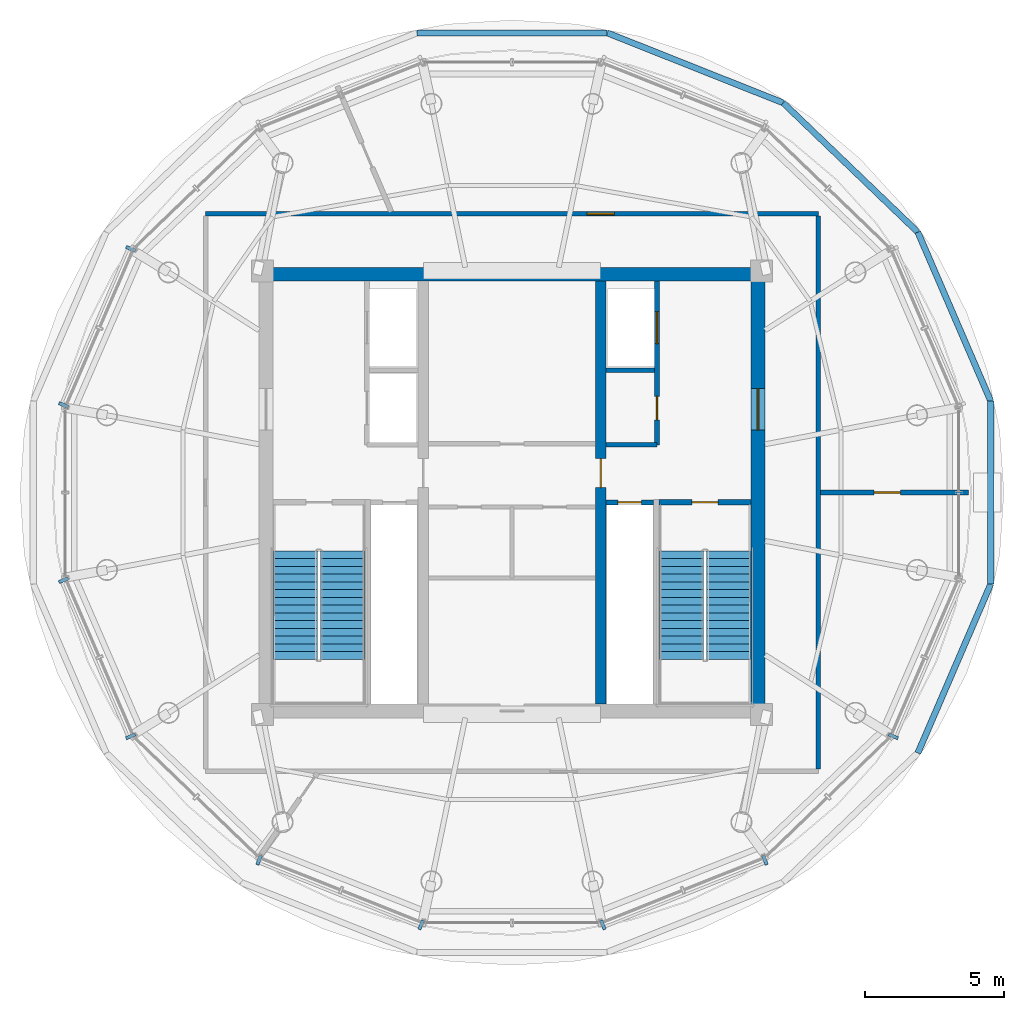
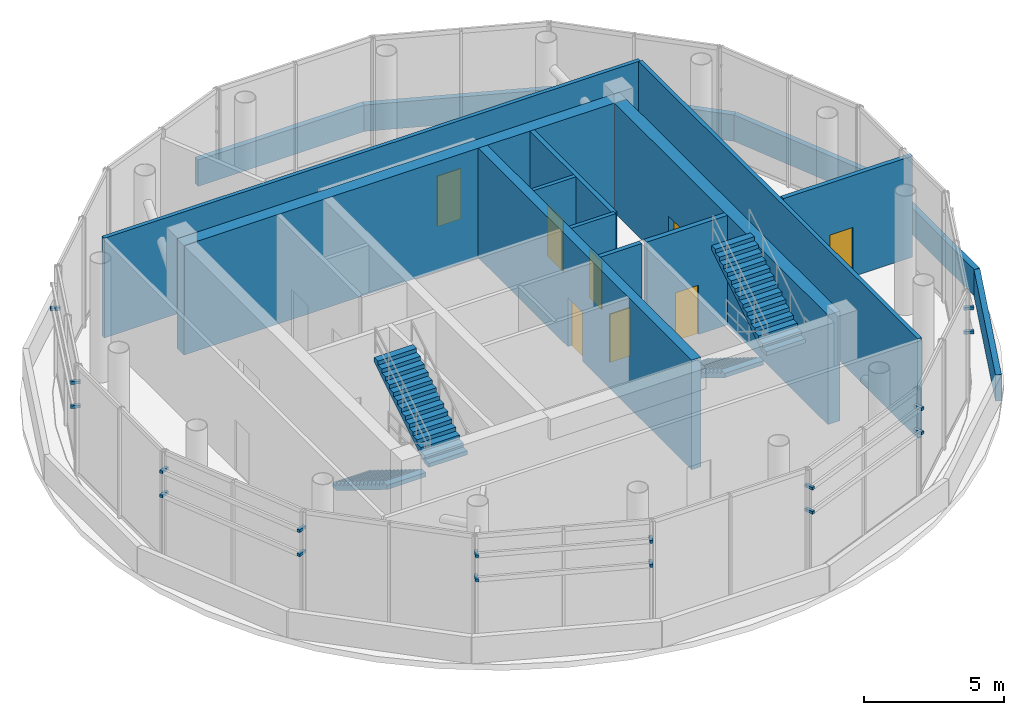
# One storey, part 11 of 14: 17 discrete accessories, 17 walls, 8 doors, 4 stair flights, 8 openings, 2 elements without a shape of their own.
"""IFC4 building model written with IfcOpenShell, lengths in metres."""

from ifc_helpers import new_model, si_unit, direction, frame, frame_2d, origin, origin_2d, place, context, subcontext, project, spatial, polyline, rectangle, outline, extrude, source, transform, mapped, material, layer, layer_set, type_object, element, fill, aggregate, save


model = new_model("IFC4")

# Units and contexts
model_context = context("Model", 3, precision=1e-05, world=origin(), true_north=direction((-0.2419218956, 0.970295726276)))
body_context = subcontext(model_context, "Body", "Model", "MODEL_VIEW")
ifc_project = project(units=[si_unit("LENGTHUNIT", "METRE"), si_unit("AREAUNIT", "SQUARE_METRE"), si_unit("VOLUMEUNIT", "CUBIC_METRE"), si_unit("PLANEANGLEUNIT", "RADIAN"), si_unit("MASSUNIT", "GRAM", prefix="KILO")], contexts=[model_context])

# Site, building, storey
site_placement = place(None, origin())
site = spatial("IfcSite", under=ifc_project, at=site_placement, CompositionType="ELEMENT")
building_placement = place(site_placement, origin())
building = spatial("IfcBuilding", under=site, at=building_placement, Name="Cobrevalo Terracotta Tower", CompositionType="ELEMENT")
storey_placement = place(building_placement, frame((0.0, 0.0, 321.699951171875)))
storey = spatial("IfcBuildingStorey", under=building, at=storey_placement, Name="L83", CompositionType="ELEMENT", Elevation=321.699951171875)

# Wall
ifc_material_1 = material(Name="Concrete C50", Category="concrete")
ifc_layer_1 = layer(ifc_material_1, 0.5)
ifc_layer_set_1 = layer_set([ifc_layer_1], Name="Concrete C50")
wall_type_1 = type_object("IfcWallType", Name="Crown core shear wall 500 mm Concrete C50", PredefinedType="SHEAR", material=ifc_layer_set_1)
wall_1_placement = place(storey_placement, frame((28.875, 34.675048828125, 0.0), z_axis=(0.0, 0.0, 1.0), x_axis=(1.0, 0.0, 0.0)))
element("IfcWall", 1, at=wall_1_placement, inside=storey, type_object=wall_type_1, Name="L83 north core shear wall", PredefinedType="SHEAR", context=body_context, shape_type="SweptSolid", body=[
    extrude(rectangle(XDim=18.25, YDim=0.5, at=frame_2d((9.125, 0.0))), origin(), (0.0, 0.0, 1.0), 4.780029296875),
])

# Wall, opening, door
wall_2_placement = place(storey_placement, frame((46.875, 19.175048828125, 0.0), z_axis=(0.0, 0.0, 1.0), x_axis=(0.0, 1.0, 0.0)))
wall_2 = element("IfcWall", 2, at=wall_2_placement, inside=storey, type_object=wall_type_1, Name="L83 east core shear wall", PredefinedType="SHEAR", context=body_context, shape_type="SweptSolid", body=[
    extrude(rectangle(XDim=15.25, YDim=0.5, at=frame_2d((7.625, 0.0))), origin(), (0.0, 0.0, 1.0), 4.780029296875),
])
opening_1_placement = place(wall_2_placement, frame((9.875, 0.0, 0.0)))
opening_1 = element("IfcOpeningElement", 3, at=opening_1_placement, cuts=wall_2, Name="Opening ID-14", PredefinedType="OPENING", context=body_context, shape_type="SweptSolid", body=[
    extrude(rectangle(XDim=1.5, YDim=2.199951171875, at=frame_2d((0.75, 1.10009765625))), frame((0.0, 0.260009765625, 0.0), z_axis=(0.0, -1.0, 0.0), x_axis=(1.0, 0.0, 0.0)), (0.0, 0.0, 1.0), 0.52001953125),
])
ifc_material_2 = material(Name="Galvanized fire-rated steel", Category="steel")
door_type_1 = type_object("IfcDoorType", Name="Core cross-lobby double fire door 1500x2200 EI 90", OperationType="NOTDEFINED", PredefinedType="DOOR", material=ifc_material_2)
shared_shape_1 = source(origin(), body_context, "Body", "SweptSolid", [
    extrude(rectangle(XDim=1.5, YDim=2.199951171875, at=frame_2d((0.75, 1.10009765625))), frame((0.0, 0.02490234375, 0.0), z_axis=(0.0, -1.0, 0.0), x_axis=(1.0, 0.0, 0.0)), (0.0, 0.0, 1.0), 0.050048828125),
])
door_1_placement = place(opening_1_placement, frame((1.5, 0.0, 0.0), z_axis=(0.0, 0.0, 1.0), x_axis=(-1.0, 0.0, 0.0)))
door_1 = element("IfcDoor", 4, at=door_1_placement, inside=storey, type_object=door_type_1, Name="L83 east firefighting lobby entrance door", OperationType="DOUBLE_DOOR_SINGLE_SWING", OverallHeight=2.199951171875, OverallWidth=1.5, PredefinedType="DOOR", context=body_context, shape_type="MappedRepresentation", body=[
    mapped(shared_shape_1, transform((0.0, 0.0, 0.0), scale=1.0)),
])
fill(opening_1, door_1)

# Walls
ifc_material_3 = material(Name="Gypsum board on steel stud", Category="steel")
ifc_layer_2 = layer(ifc_material_3, 0.159912109375)
ifc_layer_set_2 = layer_set([ifc_layer_2], Name="Gypsum board on steel stud")
wall_type_2 = type_object("IfcWallType", Name="Fire-rated corridor acoustic partition wall 160 mm", PredefinedType="PARTITIONING", material=ifc_layer_set_2)
wall_3_placement = place(storey_placement, frame((41.389892578125, 31.219970703125, 0.0), z_axis=(0.0, 0.0, 1.0), x_axis=(1.0, 0.0, 0.0)))
element("IfcWall", 5, at=wall_3_placement, inside=storey, type_object=wall_type_2, Name="L83 interior partition IW-L83-FF2-M", PredefinedType="PARTITIONING", context=body_context, shape_type="SweptSolid", body=[
    extrude(rectangle(XDim=1.75, YDim=0.159912109375, at=frame_2d((0.875, 0.0))), origin(), (0.0, 0.0, 1.0), 4.780029296875),
])
wall_4_placement = place(storey_placement, frame((41.389892578125, 28.52001953125, 0.0), z_axis=(0.0, 0.0, 1.0), x_axis=(1.0, 0.0, 0.0)))
element("IfcWall", 6, at=wall_4_placement, inside=storey, type_object=wall_type_2, Name="L83 interior partition IW-L83-FF2-S", PredefinedType="PARTITIONING", context=body_context, shape_type="SweptSolid", body=[
    extrude(rectangle(XDim=1.840087890625, YDim=0.159912109375, at=frame_2d((0.919921875, 0.0))), origin(), (0.0, 0.0, 1.0), 4.780029296875),
])

# Wall, opening, door
wall_5_placement = place(storey_placement, frame((26.945068359375, 36.85498046875, 0.0), z_axis=(0.0, 0.0, 1.0), x_axis=(1.0, 0.0, 0.0)))
wall_5 = element("IfcWall", 7, at=wall_5_placement, inside=storey, type_object=wall_type_2, Name="L83 interior partition IW-L83-COR-N", PredefinedType="PARTITIONING", context=body_context, shape_type="SweptSolid", body=[
    extrude(rectangle(XDim=22.10986328125, YDim=0.159912109375, at=frame_2d((11.054931640625, 0.0))), origin(), (0.0, 0.0, 1.0), 4.35205078125),
])
opening_2_placement = place(wall_5_placement, frame((13.768310546875, 0.0, 0.0)))
opening_2 = element("IfcOpeningElement", 8, at=opening_2_placement, cuts=wall_5, Name="Opening ID-05", PredefinedType="OPENING", context=body_context, shape_type="SweptSolid", body=[
    extrude(rectangle(XDim=0.97998046875, YDim=2.199951171875, at=frame_2d((0.489990234375, 1.10009765625))), frame((0.0, 0.08984375, 0.0), z_axis=(0.0, -1.0, 0.0), x_axis=(1.0, 0.0, 0.0)), (0.0, 0.0, 1.0), 0.179931640625),
])
ifc_material_4 = material(Name="Solid hardwood timber", Category="wood")
door_type_2 = type_object("IfcDoorType", Name="Residence entrance fire-rated acoustic timber door 980x2200 EI 60", OperationType="NOTDEFINED", PredefinedType="DOOR", material=ifc_material_4)
shared_shape_2 = source(origin(), body_context, "Body", "SweptSolid", [
    extrude(rectangle(XDim=0.97998046875, YDim=2.199951171875, at=frame_2d((0.489990234375, 1.10009765625))), frame((0.0, 0.02490234375, 0.0), z_axis=(0.0, -1.0, 0.0), x_axis=(1.0, 0.0, 0.0)), (0.0, 0.0, 1.0), 0.050048828125),
])
door_2_placement = place(opening_2_placement, origin())
door_2 = element("IfcDoor", 9, at=door_2_placement, inside=storey, type_object=door_type_2, Name="L83 Crown AHU Mechanical Plant door", OperationType="SINGLE_SWING_RIGHT", OverallHeight=2.199951171875, OverallWidth=0.97998046875, PredefinedType="DOOR", context=body_context, shape_type="MappedRepresentation", body=[
    mapped(shared_shape_2, transform((0.0, 0.0, 0.0), scale=1.0)),
])
fill(opening_2, door_2)

# Wall
wall_6_placement = place(storey_placement, frame((49.054931640625, 16.824951171875, 0.0), z_axis=(0.0, 0.0, 1.0), x_axis=(0.0, 1.0, 0.0)))
element("IfcWall", 10, at=wall_6_placement, inside=storey, type_object=wall_type_2, Name="L83 interior partition IW-L83-COR-E", PredefinedType="PARTITIONING", context=body_context, shape_type="SweptSolid", body=[
    extrude(rectangle(XDim=19.949951171875, YDim=0.159912109375, at=frame_2d((9.97509765625, 0.0))), origin(), (0.0, 0.0, 1.0), 4.35205078125),
])

# Wall, opening, door
ifc_layer_3 = layer(ifc_material_3, 0.179931640625)
ifc_layer_set_3 = layer_set([ifc_layer_3], Name="Gypsum board on steel stud")
wall_type_3 = type_object("IfcWallType", Name="Fire-rated shaft & lobby acoustic partition wall 180 mm", PredefinedType="PARTITIONING", material=ifc_layer_set_3)
wall_7_placement = place(storey_placement, frame((41.389892578125, 26.449951171875, 0.0), z_axis=(0.0, 0.0, 1.0), x_axis=(1.0, 0.0, 0.0)))
wall_7 = element("IfcWall", 11, at=wall_7_placement, inside=storey, type_object=wall_type_3, Name="L83 interior partition IW-L83-RSE-N", PredefinedType="PARTITIONING", context=body_context, shape_type="SweptSolid", body=[
    extrude(rectangle(XDim=1.710205078125, YDim=0.179931640625, at=frame_2d((0.85498046875, 0.0))), origin(), (0.0, 0.0, 1.0), 4.780029296875),
])
opening_3_placement = place(wall_7_placement, frame((0.429931640625, 0.0, 0.0)))
opening_3 = element("IfcOpeningElement", 12, at=opening_3_placement, cuts=wall_7, Name="Opening ID-22", PredefinedType="OPENING", context=body_context, shape_type="SweptSolid", body=[
    extrude(rectangle(XDim=0.85009765625, YDim=2.10009765625, at=frame_2d((0.425048828125, 1.050048828125))), frame((0.0, 0.10009765625, 0.0), z_axis=(0.0, -1.0, 0.0), x_axis=(1.0, 0.0, 0.0)), (0.0, 0.0, 1.0), 0.199951171875),
])
ifc_material_5 = material(Name="Powder-coated steel", Category="steel")
door_type_3 = type_object("IfcDoorType", Name="Riser shaft & meter closet fire access door 850x2100 EI 60", OperationType="NOTDEFINED", PredefinedType="DOOR", material=ifc_material_5)
shared_shape_3 = source(origin(), body_context, "Body", "SweptSolid", [
    extrude(rectangle(XDim=0.85009765625, YDim=2.10009765625, at=frame_2d((0.425048828125, 1.050048828125))), frame((0.0, 0.02490234375, 0.0), z_axis=(0.0, -1.0, 0.0), x_axis=(1.0, 0.0, 0.0)), (0.0, 0.0, 1.0), 0.050048828125),
])
door_3_placement = place(opening_3_placement, origin())
door_3 = element("IfcDoor", 13, at=door_3_placement, inside=storey, type_object=door_type_3, Name="L83 riser access door RSE", OperationType="SINGLE_SWING_RIGHT", OverallHeight=2.10009765625, OverallWidth=0.85009765625, PredefinedType="DOOR", context=body_context, shape_type="MappedRepresentation", body=[
    mapped(shared_shape_3, transform((0.0, 0.0, 0.0), scale=1.0)),
])
fill(opening_3, door_3)

# Wall, openings, doors
wall_8_placement = place(storey_placement, frame((43.22998046875, 28.52001953125, 0.0), z_axis=(0.0, 0.0, 1.0), x_axis=(0.0, 1.0, 0.0)))
wall_8 = element("IfcWall", 14, at=wall_8_placement, inside=storey, type_object=wall_type_3, Name="L83 interior partition IW-L83-FF2-E", PredefinedType="PARTITIONING", context=body_context, shape_type="SweptSolid", body=[
    extrude(rectangle(XDim=5.905029296875, YDim=0.179931640625, at=frame_2d((2.95263671875, 0.0))), origin(), (0.0, 0.0, 1.0), 4.780029296875),
])
opening_4_placement = place(wall_8_placement, frame((0.905029296875, 0.0, 0.0)))
opening_4 = element("IfcOpeningElement", 15, at=opening_4_placement, cuts=wall_8, Name="Opening ID-22", PredefinedType="OPENING", context=body_context, shape_type="SweptSolid", body=[
    extrude(rectangle(XDim=0.85009765625, YDim=2.10009765625, at=frame_2d((0.425048828125, 1.050048828125))), frame((0.0, 0.10009765625, 0.0), z_axis=(0.0, -1.0, 0.0), x_axis=(1.0, 0.0, 0.0)), (0.0, 0.0, 1.0), 0.199951171875),
])
opening_5_placement = place(wall_8_placement, frame((3.655029296875, 0.0, 0.0)))
opening_5 = element("IfcOpeningElement", 16, at=opening_5_placement, cuts=wall_8, Name="Opening LD-02", PredefinedType="OPENING", context=body_context, shape_type="SweptSolid", body=[
    extrude(rectangle(XDim=1.14990234375, YDim=2.199951171875, at=frame_2d((0.574951171875, 1.10009765625))), frame((0.0, 0.10009765625, 0.0), z_axis=(0.0, -1.0, 0.0), x_axis=(1.0, 0.0, 0.0)), (0.0, 0.0, 1.0), 0.199951171875),
])
door_4_placement = place(opening_4_placement, frame((0.85009765625, 0.0, 0.0), z_axis=(0.0, 0.0, 1.0), x_axis=(-1.0, 0.0, 0.0)))
door_4 = element("IfcDoor", 17, at=door_4_placement, inside=storey, type_object=door_type_3, Name="L83 housekeeping store door", OperationType="SINGLE_SWING_RIGHT", OverallHeight=2.10009765625, OverallWidth=0.85009765625, PredefinedType="DOOR", context=body_context, shape_type="MappedRepresentation", body=[
    mapped(shared_shape_3, transform((0.0, 0.0, 0.0), scale=1.0)),
])
fill(opening_4, door_4)
ifc_material_6 = material(Name="Brushed stainless steel", Category="steel")
door_type_4 = type_object("IfcDoorType", Name="Firefighting lift landing bi-parting sliding door 1150x2200 EI 120", OperationType="DOUBLE_DOOR_SLIDING", PredefinedType="DOOR", material=ifc_material_6)
shared_shape_4 = source(origin(), body_context, "Body", "SweptSolid", [
    extrude(rectangle(XDim=1.14990234375, YDim=2.199951171875, at=frame_2d((0.574951171875, 1.10009765625))), frame((0.0, 0.02490234375, 0.0), z_axis=(0.0, -1.0, 0.0), x_axis=(1.0, 0.0, 0.0)), (0.0, 0.0, 1.0), 0.050048828125),
])
door_5_placement = place(opening_5_placement, origin())
door_5 = element("IfcDoor", 18, at=door_5_placement, inside=storey, type_object=door_type_4, Name="L83 lift landing door FF-2", OperationType="DOUBLE_DOOR_SLIDING", OverallHeight=2.199951171875, OverallWidth=1.14990234375, PredefinedType="DOOR", context=body_context, shape_type="MappedRepresentation", body=[
    mapped(shared_shape_4, transform((0.0, 0.0, 0.0), scale=1.0)),
])
fill(opening_5, door_5)

# Wall, opening, door
wall_9_placement = place(storey_placement, frame((49.136962890625, 26.800048828125, 0.0), z_axis=(0.0, 0.0, 1.0), x_axis=(1.0, 0.0, 0.0)))
wall_9 = element("IfcWall", 19, at=wall_9_placement, inside=storey, type_object=wall_type_3, Name="L83 interior partition IW-L83-CW1", PredefinedType="PARTITIONING", context=body_context, shape_type="SweptSolid", body=[
    extrude(rectangle(XDim=5.3330078125, YDim=0.179931640625, at=frame_2d((2.66650390625, 0.0))), origin(), (0.0, 0.0, 1.0), 4.4111328125),
])
opening_6_placement = place(wall_9_placement, frame((1.9248046875, 0.0, 0.0)))
opening_6 = element("IfcOpeningElement", 20, at=opening_6_placement, cuts=wall_9, Name="Opening ID-04", PredefinedType="OPENING", context=body_context, shape_type="SweptSolid", body=[
    extrude(rectangle(XDim=0.949951171875, YDim=2.14990234375, at=frame_2d((0.47509765625, 1.074951171875))), frame((0.0, 0.10009765625, 0.0), z_axis=(0.0, -1.0, 0.0), x_axis=(1.0, 0.0, 0.0)), (0.0, 0.0, 1.0), 0.199951171875),
])
door_type_5 = type_object("IfcDoorType", Name="Stair & firefighting lobby fire door 950x2150 EI 90", OperationType="NOTDEFINED", PredefinedType="DOOR", material=ifc_material_2)
shared_shape_5 = source(origin(), body_context, "Body", "SweptSolid", [
    extrude(rectangle(XDim=0.949951171875, YDim=2.14990234375, at=frame_2d((0.47509765625, 1.074951171875))), frame((0.0, 0.02490234375, 0.0), z_axis=(0.0, -1.0, 0.0), x_axis=(1.0, 0.0, 0.0)), (0.0, 0.0, 1.0), 0.050048828125),
])
door_6_placement = place(opening_6_placement, origin())
door_6 = element("IfcDoor", 21, at=door_6_placement, inside=storey, type_object=door_type_5, Name="L83 crown plant interconnecting fire door 1", OperationType="SINGLE_SWING_LEFT", OverallHeight=2.14990234375, OverallWidth=0.949951171875, PredefinedType="DOOR", context=body_context, shape_type="MappedRepresentation", body=[
    mapped(shared_shape_5, transform((0.0, 0.0, 0.0), scale=1.0)),
])
fill(opening_6, door_6)

ifc_layer_4 = layer(ifc_material_1, 0.3798828125)
ifc_layer_set_4 = layer_set([ifc_layer_4], Name="Concrete C50")
wall_type_4 = type_object("IfcWallType", Name="Internal core shear web wall 380 mm Concrete C50", PredefinedType="SHEAR", material=ifc_layer_set_4)
wall_10_placement = place(storey_placement, frame((41.199951171875, 19.175048828125, 0.0), z_axis=(0.0, 0.0, 1.0), x_axis=(0.0, 1.0, 0.0)))
wall_10 = element("IfcWall", 22, at=wall_10_placement, inside=storey, type_object=wall_type_4, Name="L83 internal core shear wall WEB-E", PredefinedType="SHEAR", context=body_context, shape_type="SweptSolid", body=[
    extrude(rectangle(XDim=15.25, YDim=0.3798828125, at=frame_2d((7.625, 0.0))), origin(), (0.0, 0.0, 1.0), 4.780029296875),
])
opening_7_placement = place(wall_10_placement, frame((7.800048828125, 0.0, 0.0)))
opening_7 = element("IfcOpeningElement", 23, at=opening_7_placement, cuts=wall_10, Name="Opening ID-11", PredefinedType="OPENING", context=body_context, shape_type="SweptSolid", body=[
    extrude(rectangle(XDim=1.050048828125, YDim=2.14990234375, at=frame_2d((0.52490234375, 1.074951171875))), frame((0.0, 0.199951171875, 0.0), z_axis=(0.0, -1.0, 0.0), x_axis=(1.0, 0.0, 0.0)), (0.0, 0.0, 1.0), 0.39990234375),
])
door_type_6 = type_object("IfcDoorType", Name="Core concourse cross fire door 1050x2150 EI 90", OperationType="NOTDEFINED", PredefinedType="DOOR", material=ifc_material_2)
shared_shape_6 = source(origin(), body_context, "Body", "SweptSolid", [
    extrude(rectangle(XDim=1.050048828125, YDim=2.14990234375, at=frame_2d((0.52490234375, 1.074951171875))), frame((0.0, 0.02490234375, 0.0), z_axis=(0.0, -1.0, 0.0), x_axis=(1.0, 0.0, 0.0)), (0.0, 0.0, 1.0), 0.050048828125),
])
door_7_placement = place(opening_7_placement, frame((1.050048828125, 0.0, 0.0), z_axis=(0.0, 0.0, 1.0), x_axis=(-1.0, 0.0, 0.0)))
door_7 = element("IfcDoor", 24, at=door_7_placement, inside=storey, type_object=door_type_6, Name="L83 east core concourse cross door", OperationType="SINGLE_SWING_RIGHT", OverallHeight=2.14990234375, OverallWidth=1.050048828125, PredefinedType="DOOR", context=body_context, shape_type="MappedRepresentation", body=[
    mapped(shared_shape_6, transform((0.0, 0.0, 0.0), scale=1.0)),
])
fill(opening_7, door_7)

# Walls
ifc_material_7 = material(Name="Precast concrete C45", Category="concrete")
ifc_layer_5 = layer(ifc_material_7, 0.219970703125)
ifc_layer_set_5 = layer_set([ifc_layer_5], Name="Precast concrete C45")
wall_type_5 = type_object("IfcWallType", Name="Precast concrete roof and setback terrace parapet wall 220 mm", PredefinedType="PARAPET", material=ifc_layer_set_5)
wall_11_placement = place(storey_placement, frame((55.271728515625, 30.098876953125, 0.0), z_axis=(0.0, 0.0, 1.0), x_axis=(-0.396106310231, 0.918204656378, 0.0)))
element("IfcWall", 25, at=wall_11_placement, inside=storey, type_object=wall_type_5, Name="L83 crown step-back parapet 01", PredefinedType="PARAPET", context=body_context, shape_type="SweptSolid", body=[
    extrude(rectangle(XDim=6.638671875, YDim=0.219970703125, at=frame_2d((3.3193359375, 0.0))), origin(), (0.0, 0.0, 1.0), 1.150146484375),
])
wall_12_placement = place(storey_placement, frame((52.64208984375, 36.194580078125, 0.0), z_axis=(0.0, 0.0, 1.0), x_axis=(-0.721278667214, 0.69264499148, 0.0)))
element("IfcWall", 26, at=wall_12_placement, inside=storey, type_object=wall_type_5, Name="L83 crown step-back parapet 02", PredefinedType="PARAPET", context=body_context, shape_type="SweptSolid", body=[
    extrude(rectangle(XDim=6.73583984375, YDim=0.219970703125, at=frame_2d((3.367919921875, 0.0))), origin(), (0.0, 0.0, 1.0), 1.150146484375),
])
wall_13_placement = place(storey_placement, frame((47.78369140625, 40.860107421875, 0.0), z_axis=(0.0, 0.0, 1.0), x_axis=(-0.929199495848, 0.369578539576, 0.0)))
element("IfcWall", 27, at=wall_13_placement, inside=storey, type_object=wall_type_5, Name="L83 crown step-back parapet 03", PredefinedType="PARAPET", context=body_context, shape_type="SweptSolid", body=[
    extrude(rectangle(XDim=6.831787109375, YDim=0.219970703125, at=frame_2d((3.416015625, 0.0))), origin(), (0.0, 0.0, 1.0), 1.150146484375),
])
wall_14_placement = place(storey_placement, frame((41.435546875, 43.385009765625, 0.0), z_axis=(0.0, 0.0, 1.0), x_axis=(-1.0, 0.0, 0.0)))
element("IfcWall", 28, at=wall_14_placement, inside=storey, type_object=wall_type_5, Name="L83 crown step-back parapet 04", PredefinedType="PARAPET", context=body_context, shape_type="SweptSolid", body=[
    extrude(rectangle(XDim=6.87109375, YDim=0.219970703125, at=frame_2d((3.435546875, 0.0))), origin(), (0.0, 0.0, 1.0), 1.150146484375),
])
wall_15_placement = place(storey_placement, frame((52.64208984375, 17.4052734375, 0.0), z_axis=(0.0, 0.0, 1.0), x_axis=(0.396106310231, 0.918204656378, 0.0)))
element("IfcWall", 29, at=wall_15_placement, inside=storey, type_object=wall_type_5, Name="L83 crown step-back parapet 15", PredefinedType="PARAPET", context=body_context, shape_type="SweptSolid", body=[
    extrude(rectangle(XDim=6.638671875, YDim=0.219970703125, at=frame_2d((3.3193359375, 0.0))), origin(), (0.0, 0.0, 1.0), 1.150146484375),
])
wall_16_placement = place(storey_placement, frame((55.271728515625, 23.5009765625, 0.0), z_axis=(0.0, 0.0, 1.0), x_axis=(0.0, 1.0, 0.0)))
element("IfcWall", 30, at=wall_16_placement, inside=storey, type_object=wall_type_5, Name="L83 crown step-back parapet 16", PredefinedType="PARAPET", context=body_context, shape_type="SweptSolid", body=[
    extrude(rectangle(XDim=6.597900390625, YDim=0.219970703125, at=frame_2d((3.298828125, 0.0))), origin(), (0.0, 0.0, 1.0), 1.150146484375),
])

# Wall, opening, door
ifc_layer_6 = layer(ifc_material_1, 0.199951171875)
ifc_layer_set_6 = layer_set([ifc_layer_6], Name="Concrete C50")
wall_type_6 = type_object("IfcWallType", Name="Structural core & podium stair-shaft RC wall 200 mm Concrete C50", PredefinedType="SOLIDWALL", material=ifc_layer_set_6)
wall_17_placement = place(storey_placement, frame((43.304931640625, 26.449951171875, 0.0), z_axis=(0.0, 0.0, 1.0), x_axis=(1.0, 0.0, 0.0)))
wall_17 = element("IfcWall", 31, at=wall_17_placement, inside=storey, type_object=wall_type_6, Name="L83 ST-2 north structural shaft wall", PredefinedType="SOLIDWALL", context=body_context, shape_type="SweptSolid", body=[
    extrude(rectangle(XDim=3.320068359375, YDim=0.199951171875, at=frame_2d((1.66015625, 0.0))), origin(), (0.0, 0.0, 1.0), 4.780029296875),
])
opening_8_placement = place(wall_17_placement, frame((1.18505859375, 0.0, 0.0)))
opening_8 = element("IfcOpeningElement", 32, at=opening_8_placement, cuts=wall_17, Name="Opening ID-04", PredefinedType="OPENING", context=body_context, shape_type="SweptSolid", body=[
    extrude(rectangle(XDim=0.949951171875, YDim=2.14990234375, at=frame_2d((0.47509765625, 1.074951171875))), frame((0.0, 0.10986328125, 0.0), z_axis=(0.0, -1.0, 0.0), x_axis=(1.0, 0.0, 0.0)), (0.0, 0.0, 1.0), 0.219970703125),
])
door_8_placement = place(opening_8_placement, frame((0.949951171875, 0.0, 0.0), z_axis=(0.0, 0.0, 1.0), x_axis=(-1.0, 0.0, 0.0)))
door_8 = element("IfcDoor", 33, at=door_8_placement, inside=storey, type_object=door_type_5, Name="L83 protected stair ST2 fire door", OperationType="SINGLE_SWING_RIGHT", OverallHeight=2.14990234375, OverallWidth=0.949951171875, PredefinedType="DOOR", context=body_context, shape_type="MappedRepresentation", body=[
    mapped(shared_shape_5, transform((0.0, 0.0, 0.0), scale=1.0)),
])
fill(opening_8, door_8)

# Stair, stair flights
stair_type = type_object("IfcStairType", Name="Core protected escape dogleg stair 1600", PredefinedType="HALF_TURN_STAIR", material=ifc_material_1)
stair_1_placement = place(storey_placement, origin())
stair_1 = element("IfcStair", 34, at=stair_1_placement, inside=storey, type_object=stair_type, Name="L83 Protected exit stair ST-1", PredefinedType="HALF_TURN_STAIR")
stair_flight_type = type_object("IfcStairFlightType", Name="Core protected escape dogleg stair 1600 flight", PredefinedType="STRAIGHT", material=ifc_material_1)
stair_flight_1_placement = place(storey_placement, frame((30.175048828125, 24.699951171875, 0.0), z_axis=(0.0, 0.0, 1.0), x_axis=(0.0, -1.0, 0.0)))
stair_flight_1 = element("IfcStairFlight", 35, at=stair_flight_1_placement, type_object=stair_flight_type, Name="ST-1 flight 1", NumberOfRisers=15, NumberOfTreads=14, PredefinedType="STRAIGHT", RiserHeight=0.173333333, TreadLength=0.28, context=body_context, shape_type="SweptSolid", body=[
    extrude(outline(polyline([(0.0, 0.0), (0.0, 0.17333984375), (0.280029296875, 0.17333984375), (0.280029296875, 0.3466796875), (0.56005859375, 0.3466796875), (0.56005859375, 0.52001953125), (0.840087890625, 0.52001953125), (0.840087890625, 0.693359375), (1.1201171875, 0.693359375), (1.1201171875, 0.86669921875), (1.39990234375, 0.86669921875), (1.39990234375, 1.0400390625), (1.679931640625, 1.0400390625), (1.679931640625, 1.21337890625), (1.9599609375, 1.21337890625), (1.9599609375, 1.38671875), (2.239990234375, 1.38671875), (2.239990234375, 1.56005859375), (2.52001953125, 1.56005859375), (2.52001953125, 1.7333984375), (2.800048828125, 1.7333984375), (2.800048828125, 1.90673828125), (3.080078125, 1.90673828125), (3.080078125, 2.080078125), (3.360107421875, 2.080078125), (3.360107421875, 2.25341796875), (3.639892578125, 2.25341796875), (3.639892578125, 2.4267578125), (3.919921875, 2.4267578125), (3.919921875, 2.60009765625), (3.919921875, 2.238525390625), (0.3037109375, 0.0), (0.0, 0.0)])), frame((0.0, 0.800048828125, 0.0), z_axis=(0.0, -1.0, 0.0), x_axis=(1.0, 0.0, 0.0)), (0.0, 0.0, 1.0), 1.60009765625),
])
stair_flight_2_placement = place(storey_placement, frame((31.89501953125, 20.780029296875, 2.60009765625), z_axis=(0.0, 0.0, 1.0), x_axis=(0.0, 1.0, 0.0)))
stair_flight_2 = element("IfcStairFlight", 36, at=stair_flight_2_placement, type_object=stair_flight_type, Name="ST-1 flight 2", NumberOfRisers=15, NumberOfTreads=14, PredefinedType="STRAIGHT", RiserHeight=0.173333333, TreadLength=0.28, context=body_context, shape_type="SweptSolid", body=[
    extrude(outline(polyline([(0.0, 0.0), (0.0, 0.17333984375), (0.280029296875, 0.17333984375), (0.280029296875, 0.3466796875), (0.56005859375, 0.3466796875), (0.56005859375, 0.52001953125), (0.840087890625, 0.52001953125), (0.840087890625, 0.693359375), (1.1201171875, 0.693359375), (1.1201171875, 0.86669921875), (1.39990234375, 0.86669921875), (1.39990234375, 1.0400390625), (1.679931640625, 1.0400390625), (1.679931640625, 1.21337890625), (1.9599609375, 1.21337890625), (1.9599609375, 1.38671875), (2.239990234375, 1.38671875), (2.239990234375, 1.56005859375), (2.52001953125, 1.56005859375), (2.52001953125, 1.7333984375), (2.800048828125, 1.7333984375), (2.800048828125, 1.90673828125), (3.080078125, 1.90673828125), (3.080078125, 2.080078125), (3.360107421875, 2.080078125), (3.360107421875, 2.25341796875), (3.639892578125, 2.25341796875), (3.639892578125, 2.4267578125), (3.919921875, 2.4267578125), (3.919921875, 2.60009765625), (3.919921875, 2.238525390625), (0.3037109375, 0.0), (0.0, 0.0)])), frame((0.0, 0.800048828125, 0.0), z_axis=(0.0, -1.0, 0.0), x_axis=(1.0, 0.0, 0.0)), (0.0, 0.0, 1.0), 1.60009765625),
])
aggregate(stair_1, [stair_flight_1, stair_flight_2])

stair_2_placement = place(storey_placement, origin())
stair_2 = element("IfcStair", 37, at=stair_2_placement, inside=storey, type_object=stair_type, Name="L83 Protected exit stair ST-2", PredefinedType="HALF_TURN_STAIR")
stair_flight_3_placement = place(storey_placement, frame((44.10498046875, 24.699951171875, 0.0), z_axis=(0.0, 0.0, 1.0), x_axis=(0.0, -1.0, 0.0)))
stair_flight_3 = element("IfcStairFlight", 38, at=stair_flight_3_placement, type_object=stair_flight_type, Name="ST-2 flight 1", NumberOfRisers=15, NumberOfTreads=14, PredefinedType="STRAIGHT", RiserHeight=0.173333333, TreadLength=0.28, context=body_context, shape_type="SweptSolid", body=[
    extrude(outline(polyline([(0.0, 0.0), (0.0, 0.17333984375), (0.280029296875, 0.17333984375), (0.280029296875, 0.3466796875), (0.56005859375, 0.3466796875), (0.56005859375, 0.52001953125), (0.840087890625, 0.52001953125), (0.840087890625, 0.693359375), (1.1201171875, 0.693359375), (1.1201171875, 0.86669921875), (1.39990234375, 0.86669921875), (1.39990234375, 1.0400390625), (1.679931640625, 1.0400390625), (1.679931640625, 1.21337890625), (1.9599609375, 1.21337890625), (1.9599609375, 1.38671875), (2.239990234375, 1.38671875), (2.239990234375, 1.56005859375), (2.52001953125, 1.56005859375), (2.52001953125, 1.7333984375), (2.800048828125, 1.7333984375), (2.800048828125, 1.90673828125), (3.080078125, 1.90673828125), (3.080078125, 2.080078125), (3.360107421875, 2.080078125), (3.360107421875, 2.25341796875), (3.639892578125, 2.25341796875), (3.639892578125, 2.4267578125), (3.919921875, 2.4267578125), (3.919921875, 2.60009765625), (3.919921875, 2.238525390625), (0.3037109375, 0.0), (0.0, 0.0)])), frame((0.0, 0.800048828125, 0.0), z_axis=(0.0, -1.0, 0.0), x_axis=(1.0, 0.0, 0.0)), (0.0, 0.0, 1.0), 1.60009765625),
])
stair_flight_4_placement = place(storey_placement, frame((45.824951171875, 20.780029296875, 2.60009765625), z_axis=(0.0, 0.0, 1.0), x_axis=(0.0, 1.0, 0.0)))
stair_flight_4 = element("IfcStairFlight", 39, at=stair_flight_4_placement, type_object=stair_flight_type, Name="ST-2 flight 2", NumberOfRisers=15, NumberOfTreads=14, PredefinedType="STRAIGHT", RiserHeight=0.173333333, TreadLength=0.28, context=body_context, shape_type="SweptSolid", body=[
    extrude(outline(polyline([(0.0, 0.0), (0.0, 0.17333984375), (0.280029296875, 0.17333984375), (0.280029296875, 0.3466796875), (0.56005859375, 0.3466796875), (0.56005859375, 0.52001953125), (0.840087890625, 0.52001953125), (0.840087890625, 0.693359375), (1.1201171875, 0.693359375), (1.1201171875, 0.86669921875), (1.39990234375, 0.86669921875), (1.39990234375, 1.0400390625), (1.679931640625, 1.0400390625), (1.679931640625, 1.21337890625), (1.9599609375, 1.21337890625), (1.9599609375, 1.38671875), (2.239990234375, 1.38671875), (2.239990234375, 1.56005859375), (2.52001953125, 1.56005859375), (2.52001953125, 1.7333984375), (2.800048828125, 1.7333984375), (2.800048828125, 1.90673828125), (3.080078125, 1.90673828125), (3.080078125, 2.080078125), (3.360107421875, 2.080078125), (3.360107421875, 2.25341796875), (3.639892578125, 2.25341796875), (3.639892578125, 2.4267578125), (3.919921875, 2.4267578125), (3.919921875, 2.60009765625), (3.919921875, 2.238525390625), (0.3037109375, 0.0), (0.0, 0.0)])), frame((0.0, 0.800048828125, 0.0), z_axis=(0.0, -1.0, 0.0), x_axis=(1.0, 0.0, 0.0)), (0.0, 0.0, 1.0), 1.60009765625),
])
aggregate(stair_2, [stair_flight_3, stair_flight_4])

# Discrete accessories
ifc_layer_7 = layer(ifc_material_6, 0.1201171875)
ifc_layer_set_7 = layer_set([ifc_layer_7], Name="Brushed stainless steel")
discrete_accessory_type = type_object("IfcDiscreteAccessoryType", Name="Stainless Steel Facade & Canopy Support Bracket", PredefinedType="BRACKET", material=ifc_layer_set_7)
shared_shape_7 = source(origin(), body_context, "Body", "SweptSolid", [
    extrude(rectangle(XDim=0.1201171875, YDim=0.360107421875, at=origin_2d()), origin(), (0.0, 0.0, 1.0), 0.1201171875),
])
for number, where, z_axis, x_axis, name in (
    (40, (24.240478515625, 35.593505859375, 2.903564453125), (0.0, 0.0, 1.0), (-0.394960330504, -0.918698175316, 0.0), "CW-CRN-L83-S07 stainless baguette support bracket 1-A"),
    (41, (21.81884765625, 29.960693359375, 2.903564453125), (0.0, 0.0, 1.0), (-0.394960330504, -0.918698175316, 0.0), "CW-CRN-L83-S07 stainless baguette support bracket 1-B"),
    (42, (21.81884765625, 29.960693359375, 3.955078125), (0.0, 0.0, 1.0), (-0.394960330504, -0.918698175316, 0.0), "CW-CRN-L83-S07 stainless baguette support bracket 2-B"),
    (43, (21.81884765625, 23.639404296875, 2.903564453125), (0.0, 0.0, 1.0), (0.394960330504, -0.918698175316, 0.0), "CW-CRN-L83-S09 stainless baguette support bracket 1-A"),
    (44, (24.240478515625, 18.006591796875, 2.903564453125), (0.0, 0.0, 1.0), (0.394960330504, -0.918698175316, 0.0), "CW-CRN-L83-S09 stainless baguette support bracket 1-B"),
    (45, (21.81884765625, 23.639404296875, 3.955078125), (0.0, 0.0, 1.0), (0.394960330504, -0.918698175316, 0.0), "CW-CRN-L83-S09 stainless baguette support bracket 2-A"),
    (46, (24.240478515625, 18.006591796875, 3.955078125), (0.0, 0.0, 1.0), (0.394960330504, -0.918698175316, 0.0), "CW-CRN-L83-S09 stainless baguette support bracket 2-B"),
    (47, (28.875732421875, 13.539306640625, 2.903564453125), (0.0, 0.0, 1.0), (0.928768802339, -0.370659563214, 0.0), "CW-CRN-L83-S11 stainless baguette support bracket 1-A"),
    (48, (34.72412109375, 11.205322265625, 2.903564453125), (0.0, 0.0, 1.0), (0.928768802339, -0.370659563214, 0.0), "CW-CRN-L83-S11 stainless baguette support bracket 1-B"),
    (49, (28.875732421875, 13.539306640625, 3.955078125), (0.0, 0.0, 1.0), (0.928768802339, -0.370659563214, 0.0), "CW-CRN-L83-S11 stainless baguette support bracket 2-A"),
    (50, (34.72412109375, 11.205322265625, 3.955078125), (0.0, 0.0, 1.0), (0.928768802339, -0.370659563214, 0.0), "CW-CRN-L83-S11 stainless baguette support bracket 2-B"),
    (51, (41.27587890625, 11.205322265625, 2.903564453125), (0.0, 0.0, 1.0), (0.928768802339, 0.370659563214, 0.0), "CW-CRN-L83-S13 stainless baguette support bracket 1-A"),
    (52, (47.124267578125, 13.539306640625, 2.903564453125), (0.0, 0.0, 1.0), (0.928768802339, 0.370659563214, 0.0), "CW-CRN-L83-S13 stainless baguette support bracket 1-B"),
    (53, (41.27587890625, 11.205322265625, 3.955078125), (0.0, 0.0, 1.0), (0.928768802339, 0.370659563214, 0.0), "CW-CRN-L83-S13 stainless baguette support bracket 2-A"),
    (54, (47.124267578125, 13.539306640625, 3.955078125), (0.0, 0.0, 1.0), (0.928768802339, 0.370659563214, 0.0), "CW-CRN-L83-S13 stainless baguette support bracket 2-B"),
    (55, (51.759521484375, 18.006591796875, 2.903564453125), (0.0, 0.0, 1.0), (0.394960330504, 0.918698175316, 0.0), "CW-CRN-L83-S15 stainless baguette support bracket 1-A"),
    (56, (51.759521484375, 18.006591796875, 3.955078125), (0.0, 0.0, 1.0), (0.394960330504, 0.918698175316, 0.0), "CW-CRN-L83-S15 stainless baguette support bracket 2-A"),
):
    element("IfcDiscreteAccessory", number, at=place(storey_placement, frame(where, z_axis=z_axis, x_axis=x_axis)), inside=storey, type_object=discrete_accessory_type, Name=name, PredefinedType="BRACKET", context=body_context, shape_type="MappedRepresentation", body=[
        mapped(shared_shape_7, transform((0.0, 0.0, 0.0), scale=1.0)),
    ])

save(model, "model.ifc")
